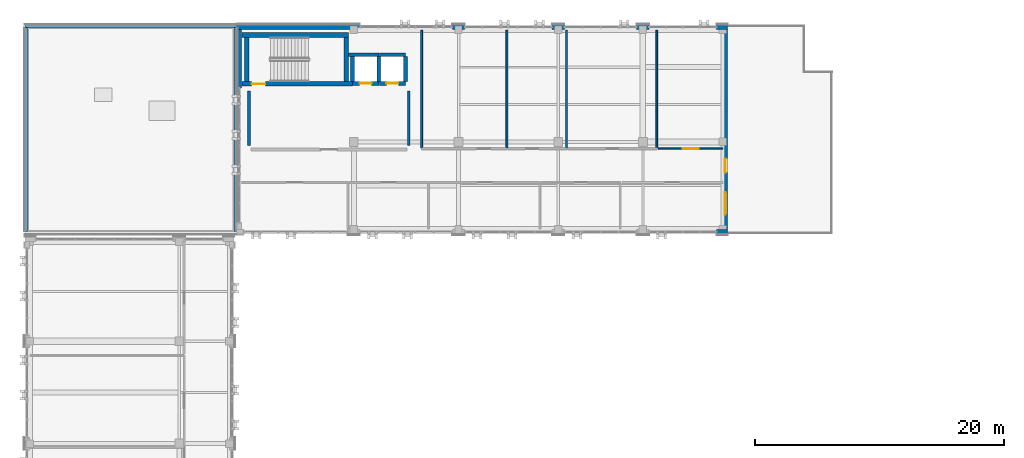
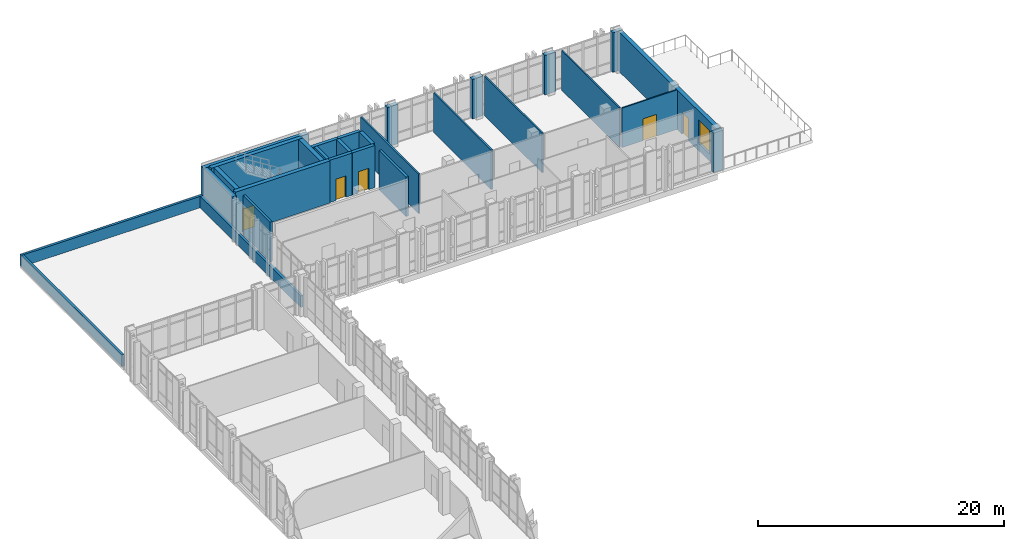
# One storey, part 71 of 90: 29 walls, 5 doors, 1 window, 6 openings.
"""IFC4 building model written with IfcOpenShell, lengths in metres."""

from ifc_helpers import new_model, si_unit, direction, frame, frame_2d, origin, place, context, subcontext, project, spatial, rectangle, extrude, material, layer, layer_set, type_object, element, fill, save


model = new_model("IFC4")

# Units and contexts
model_context = context("Model", 3, precision=1e-05, world=origin(), true_north=direction((0.0, 1.0)))
body_context = subcontext(model_context, "Body", "Model", "MODEL_VIEW")
ifc_project = project(units=[si_unit("LENGTHUNIT", "METRE"), si_unit("AREAUNIT", "SQUARE_METRE"), si_unit("VOLUMEUNIT", "CUBIC_METRE"), si_unit("PLANEANGLEUNIT", "RADIAN"), si_unit("MASSUNIT", "GRAM", prefix="KILO")], contexts=[model_context])

# Site, building, storey
site_placement = place(None, origin())
site = spatial("IfcSite", under=ifc_project, at=site_placement, CompositionType="ELEMENT")
building_placement = place(site_placement, origin())
building = spatial("IfcBuilding", under=site, at=building_placement, Name="Qalavern Law Courts", CompositionType="ELEMENT")
storey_placement = place(building_placement, frame((0.0, 0.0, 22.800048828125)))
storey = spatial("IfcBuildingStorey", under=building, at=storey_placement, Name="L05", CompositionType="ELEMENT", Elevation=22.800048828125)

# Wall
ifc_material_1 = material(Name="Concrete C40/50", Category="concrete")
ifc_layer_1 = layer(ifc_material_1, 0.385009765625)
ifc_layer_set_1 = layer_set([ifc_layer_1], Name="Concrete C40/50")
wall_type_1 = type_object("IfcWallType", Name="ENV-EW-385", PredefinedType="SOLIDWALL", material=ifc_layer_set_1)
wall_1_placement = place(storey_placement, frame((57.5, 96.392578125, 0.0), z_axis=(0.0, 0.0, 1.0), x_axis=(1.0, 0.0, 0.0)))
element("IfcWall", 1, at=wall_1_placement, inside=storey, type_object=wall_type_1, Name="V5 exterior pier wall L05 south 6", PredefinedType="SOLIDWALL", context=body_context, shape_type="SweptSolid", body=[
    extrude(rectangle(XDim=0.89990234375, YDim=0.385009765625, at=frame_2d((0.449951171875, 0.0))), origin(), (0.0, 0.0, 1.0), 3.929931640625),
])

# Wall, openings, door, window
wall_2_placement = place(storey_placement, frame((58.20751953125, 96.580078125, 0.0), z_axis=(0.0, 0.0, 1.0), x_axis=(0.0, 1.0, 0.0)))
wall_2 = element("IfcWall", 2, at=wall_2_placement, inside=storey, type_object=wall_type_1, Name="V5 exterior wall L05 east 1", PredefinedType="SOLIDWALL", context=body_context, shape_type="SweptSolid", body=[
    extrude(rectangle(XDim=16.0400390625, YDim=0.385009765625, at=frame_2d((8.02001953125, 0.0))), origin(), (0.0, 0.0, 1.0), 3.929931640625),
])
opening_1_placement = place(wall_2_placement, frame((4.56005859375, 0.0, 0.0)))
opening_1 = element("IfcOpeningElement", 3, at=opening_1_placement, cuts=wall_2, Name="Opening TD-V5-L05", PredefinedType="OPENING", context=body_context, shape_type="SweptSolid", body=[
    extrude(rectangle(XDim=1.1201171875, YDim=2.14990234375, at=frame_2d((0.56005859375, 1.074951171875))), frame((0.0, 0.20751953125, 0.0), z_axis=(0.0, -1.0, 0.0), x_axis=(1.0, 0.0, 0.0)), (0.0, 0.0, 1.0), 0.414794921875),
])
opening_2_placement = place(wall_2_placement, frame((1.199951171875, 0.0, 0.719970703125)))
opening_2 = element("IfcOpeningElement", 4, at=opening_2_placement, cuts=wall_2, Name="Opening WN-35", PredefinedType="OPENING", context=body_context, shape_type="SweptSolid", body=[
    extrude(rectangle(XDim=1.800048828125, YDim=2.35009765625, at=frame_2d((0.89990234375, 1.175048828125))), frame((0.0, 0.20751953125, 0.0), z_axis=(0.0, -1.0, 0.0), x_axis=(1.0, 0.0, 0.0)), (0.0, 0.0, 1.0), 0.414794921875),
])
ifc_material_2 = material(Name="Thermally broken anodised aluminium and laminated safety glass", Category="aluminium")
door_type_1 = type_object("IfcDoorType", Name="ENV-TD-1120x2150", OperationType="NOTDEFINED", PredefinedType="DOOR", material=ifc_material_2)
door_1_placement = place(opening_1_placement, frame((1.1201171875, 0.0, 0.0), z_axis=(0.0, 0.0, 1.0), x_axis=(-1.0, 0.0, 0.0)))
door_1 = element("IfcDoor", 5, at=door_1_placement, inside=storey, type_object=door_type_1, Name="Outdoor terrace access door TD-V5-L05", OperationType="SINGLE_SWING_LEFT", OverallHeight=2.14990234375, OverallWidth=1.1201171875, PredefinedType="DOOR", context=body_context, shape_type="SweptSolid", body=[
    extrude(rectangle(XDim=1.1201171875, YDim=2.14990234375, at=frame_2d((0.56005859375, 1.074951171875))), frame((0.0, 0.02490234375, 0.0), z_axis=(0.0, -1.0, 0.0), x_axis=(1.0, 0.0, 0.0)), (0.0, 0.0, 1.0), 0.050048828125),
])
fill(opening_1, door_1)
ifc_material_3 = material(Name="Anodised aluminium frame with low-E double glazing", Category="aluminium")
window_type = type_object("IfcWindowType", Name="ENV-WIN-1800x2350", PartitioningType="SINGLE_PANEL", PredefinedType="WINDOW", material=ifc_material_3)
window_placement = place(opening_2_placement, origin())
window = element("IfcWindow", 6, at=window_placement, inside=storey, type_object=window_type, Name="V5 window L05 east 1", OverallHeight=2.35009765625, OverallWidth=1.800048828125, PartitioningType="SINGLE_PANEL", PredefinedType="WINDOW", context=body_context, shape_type="SweptSolid", body=[
    extrude(rectangle(XDim=1.800048828125, YDim=2.35009765625, at=frame_2d((0.89990234375, 1.175048828125))), frame((0.0, 0.030029296875, 0.0), z_axis=(0.0, -1.0, 0.0), x_axis=(1.0, 0.0, 0.0)), (0.0, 0.0, 1.0), 0.06005859375),
])
fill(opening_2, window)

# Walls
wall_3_placement = place(storey_placement, frame((58.39990234375, 112.8076171875, 0.0), z_axis=(0.0, 0.0, 1.0), x_axis=(-1.0, 0.0, 0.0)))
element("IfcWall", 7, at=wall_3_placement, inside=storey, type_object=wall_type_1, Name="V5 exterior pier wall L05 north 1", PredefinedType="SOLIDWALL", context=body_context, shape_type="SweptSolid", body=[
    extrude(rectangle(XDim=0.89990234375, YDim=0.385009765625, at=frame_2d((0.449951171875, 0.0))), origin(), (0.0, 0.0, 1.0), 3.929931640625),
])
for number, where, z_axis, x_axis, name in (
    (8, (52.10009765625, 112.8076171875, 0.0), (0.0, 0.0, 1.0), (-1.0, 0.0, 0.0), "V5 exterior pier wall L05 north 2"),
    (9, (45.300048828125, 112.8076171875, 0.0), (0.0, 0.0, 1.0), (-1.0, 0.0, 0.0), "V5 exterior pier wall L05 north 3"),
    (10, (37.300048828125, 112.8076171875, 0.0), (0.0, 0.0, 1.0), (-1.0, 0.0, 0.0), "V5 exterior pier wall L05 north 4"),
):
    element("IfcWall", number, at=place(storey_placement, frame(where, z_axis=z_axis, x_axis=x_axis)), inside=storey, type_object=wall_type_1, Name=name, PredefinedType="SOLIDWALL", context=body_context, shape_type="SweptSolid", body=[
        extrude(rectangle(XDim=1.0, YDim=0.385009765625, at=frame_2d((0.5, 0.0))), origin(), (0.0, 0.0, 1.0), 3.929931640625),
    ])
wall_4_placement = place(storey_placement, frame((28.89990234375, 112.8076171875, 0.0), z_axis=(0.0, 0.0, 1.0), x_axis=(-1.0, 0.0, 0.0)))
element("IfcWall", 11, at=wall_4_placement, inside=storey, type_object=wall_type_1, Name="V5 exterior pier wall L05 north 5", PredefinedType="SOLIDWALL", context=body_context, shape_type="SweptSolid", body=[
    extrude(rectangle(XDim=9.8798828125, YDim=0.385009765625, at=frame_2d((4.93994140625, 0.0))), origin(), (0.0, 0.0, 1.0), 3.929931640625),
])
wall_5_placement = place(storey_placement, frame((19.21240234375, 112.6201171875, 0.0), z_axis=(0.0, 0.0, 1.0), x_axis=(0.0, -1.0, 0.0)))
element("IfcWall", 12, at=wall_5_placement, inside=storey, type_object=wall_type_1, Name="V5 exterior pier wall L05 west 1", PredefinedType="SOLIDWALL", context=body_context, shape_type="SweptSolid", body=[
    extrude(rectangle(XDim=4.670166015625, YDim=0.385009765625, at=frame_2d((2.3349609375, 0.0))), origin(), (0.0, 0.0, 1.0), 3.929931640625),
])
ifc_layer_2 = layer(ifc_material_1, 0.219970703125)
ifc_layer_set_2 = layer_set([ifc_layer_2], Name="Concrete C40/50")
wall_type_2 = type_object("IfcWallType", Name="ENV-PAR-220", PredefinedType="PARAPET", material=ifc_layer_set_2)
wall_6_placement = place(storey_placement, frame((18.909912109375, 96.419921875, 0.0), z_axis=(0.0, 0.0, 1.0), x_axis=(0.0, 1.0, 0.0)))
element("IfcWall", 13, at=wall_6_placement, inside=storey, type_object=wall_type_2, Name="V5 roof parapet L05 E", PredefinedType="PARAPET", context=body_context, shape_type="SweptSolid", body=[
    extrude(rectangle(XDim=16.360107421875, YDim=0.219970703125, at=frame_2d((8.18017578125, 0.0))), origin(), (0.0, 0.0, 1.0), 1.14990234375),
])
wall_7_placement = place(storey_placement, frame((19.02001953125, 112.889892578125, 0.0), z_axis=(0.0, 0.0, 1.0), x_axis=(-1.0, 0.0, 0.0)))
element("IfcWall", 14, at=wall_7_placement, inside=storey, type_object=wall_type_2, Name="V5 roof parapet L05 N", PredefinedType="PARAPET", context=body_context, shape_type="SweptSolid", body=[
    extrude(rectangle(XDim=17.02001953125, YDim=0.219970703125, at=frame_2d((8.510009765625, 0.0))), origin(), (0.0, 0.0, 1.0), 1.14990234375),
])
wall_8_placement = place(storey_placement, frame((2.110107421875, 112.780029296875, 0.0), z_axis=(0.0, 0.0, 1.0), x_axis=(0.0, -1.0, 0.0)))
element("IfcWall", 15, at=wall_8_placement, inside=storey, type_object=wall_type_2, Name="V5 roof parapet L05 W", PredefinedType="PARAPET", context=body_context, shape_type="SweptSolid", body=[
    extrude(rectangle(XDim=16.360107421875, YDim=0.219970703125, at=frame_2d((8.18017578125, 0.0))), origin(), (0.0, 0.0, 1.0), 1.14990234375),
])

# Wall, opening, door
ifc_material_4 = material(Name="Concrete C45/55", Category="concrete")
ifc_layer_3 = layer(ifc_material_4, 0.375)
ifc_layer_set_3 = layer_set([ifc_layer_3], Name="Concrete C45/55")
wall_type_3 = type_object("IfcWallType", Name="INT-CW-375", PredefinedType="SHEAR", material=ifc_layer_set_3)
wall_9_placement = place(storey_placement, frame((19.407958984375, 108.262451171875, 0.0), z_axis=(0.0, 0.0, 1.0), x_axis=(1.0, 0.0, 0.0)))
wall_9 = element("IfcWall", 16, at=wall_9_placement, inside=storey, type_object=wall_type_3, Name="Core K3 stair shear wall L05 south", PredefinedType="SHEAR", context=body_context, shape_type="SweptSolid", body=[
    extrude(rectangle(XDim=8.886474609375, YDim=0.375, at=frame_2d((4.443359375, 0.0))), origin(), (0.0, 0.0, 1.0), 4.199951171875),
])
opening_3_placement = place(wall_9_placement, frame((0.7919921875, 0.0, 0.0)))
opening_3 = element("IfcOpeningElement", 17, at=opening_3_placement, cuts=wall_9, Name="Opening L05-D083", PredefinedType="OPENING", context=body_context, shape_type="SweptSolid", body=[
    extrude(rectangle(XDim=1.10009765625, YDim=2.14990234375, at=frame_2d((0.550048828125, 1.074951171875))), frame((0.0, 0.202392578125, 0.0), z_axis=(0.0, -1.0, 0.0), x_axis=(1.0, 0.0, 0.0)), (0.0, 0.0, 1.0), 0.40478515625),
])
ifc_material_5 = material(Name="Steel fire-rated stair enclosure door", Category="steel")
door_type_2 = type_object("IfcDoorType", Name="INT-FD-1100x2150", OperationType="NOTDEFINED", PredefinedType="DOOR", material=ifc_material_5)
door_2_placement = place(opening_3_placement, frame((1.10009765625, 0.0, 0.0), z_axis=(0.0, 0.0, 1.0), x_axis=(-1.0, 0.0, 0.0)))
door_2 = element("IfcDoor", 18, at=door_2_placement, inside=storey, type_object=door_type_2, Name="Stair K3 fire door L05", OperationType="SINGLE_SWING_RIGHT", OverallHeight=2.14990234375, OverallWidth=1.10009765625, PredefinedType="DOOR", context=body_context, shape_type="SweptSolid", body=[
    extrude(rectangle(XDim=1.10009765625, YDim=2.14990234375, at=frame_2d((0.550048828125, 1.074951171875))), frame((0.0, 0.02490234375, 0.0), z_axis=(0.0, -1.0, 0.0), x_axis=(1.0, 0.0, 0.0)), (0.0, 0.0, 1.0), 0.050048828125),
])
fill(opening_3, door_2)

# Walls
wall_10_placement = place(storey_placement, frame((27.78759765625, 108.449951171875, 0.0), z_axis=(0.0, 0.0, 1.0), x_axis=(0.0, 1.0, 0.0)))
element("IfcWall", 19, at=wall_10_placement, inside=storey, type_object=wall_type_3, Name="Core K3 stair shear wall L05 east", PredefinedType="SHEAR", context=body_context, shape_type="SweptSolid", body=[
    extrude(rectangle(XDim=3.550048828125, YDim=0.375, at=frame_2d((1.77490234375, 0.0))), origin(), (0.0, 0.0, 1.0), 4.199951171875),
])
wall_11_placement = place(storey_placement, frame((27.97509765625, 112.1875, 0.0), z_axis=(0.0, 0.0, 1.0), x_axis=(-1.0, 0.0, 0.0)))
element("IfcWall", 20, at=wall_11_placement, inside=storey, type_object=wall_type_3, Name="Core K3 stair shear wall L05 north", PredefinedType="SHEAR", context=body_context, shape_type="SweptSolid", body=[
    extrude(rectangle(XDim=8.567138671875, YDim=0.375, at=frame_2d((4.28369140625, 0.0))), origin(), (0.0, 0.0, 1.0), 4.199951171875),
])
wall_12_placement = place(storey_placement, frame((19.8125, 112.0, 0.0), z_axis=(0.0, 0.0, 1.0), x_axis=(0.0, -1.0, 0.0)))
element("IfcWall", 21, at=wall_12_placement, inside=storey, type_object=wall_type_3, Name="Core K3 stair shear wall L05 west", PredefinedType="SHEAR", context=body_context, shape_type="SweptSolid", body=[
    extrude(rectangle(XDim=3.550048828125, YDim=0.375, at=frame_2d((1.77490234375, 0.0))), origin(), (0.0, 0.0, 1.0), 4.199951171875),
])
ifc_layer_4 = layer(ifc_material_1, 0.22509765625)
ifc_layer_set_4 = layer_set([ifc_layer_4], Name="Concrete C40/50")
wall_type_4 = type_object("IfcWallType", Name="INT-FW-225", PredefinedType="PARTITIONING", material=ifc_layer_set_4)
for number, where, z_axis, x_axis, name in (
    (22, (20.0, 103.300048828125, 0.0), (0.0, 0.0, 1.0), (0.0, 1.0, 0.0), "Core K3 lobby return wall L05 west"),
    (23, (32.800048828125, 103.300048828125, 0.0), (0.0, 0.0, 1.0), (0.0, 1.0, 0.0), "Core K3 lobby return wall L05 east"),
):
    element("IfcWall", number, at=place(storey_placement, frame(where, z_axis=z_axis, x_axis=x_axis)), inside=storey, type_object=wall_type_4, Name=name, PredefinedType="PARTITIONING", context=body_context, shape_type="SweptSolid", body=[
        extrude(rectangle(XDim=4.39990234375, YDim=0.22509765625, at=frame_2d((2.199951171875, 0.0))), origin(), (0.0, 0.0, 1.0), 3.929931640625),
    ])

# Wall, opening, door
ifc_material_6 = material(Name="Gypsum stud partition")
ifc_layer_5 = layer(ifc_material_6, 0.1220703125)
ifc_layer_set_5 = layer_set([ifc_layer_5], Name="Gypsum stud partition")
wall_type_5 = type_object("IfcWallType", Name="INT-PW-122", PredefinedType="PARTITIONING", material=ifc_layer_set_5)
wall_13_placement = place(storey_placement, frame((52.830078125, 103.06005859375, 0.0), z_axis=(0.0, 0.0, 1.0), x_axis=(1.0, 0.0, 0.0)))
wall_13 = element("IfcWall", 24, at=wall_13_placement, inside=storey, type_object=wall_type_5, Name="Senior Judges' Chambers corridor partition L05", PredefinedType="PARTITIONING", context=body_context, shape_type="SweptSolid", body=[
    extrude(rectangle(XDim=5.18994140625, YDim=0.1220703125, at=frame_2d((2.594970703125, 0.0))), origin(), (0.0, 0.0, 1.0), 3.929931640625),
])
opening_4_placement = place(wall_13_placement, frame((1.955078125, 0.0, 0.0)))
opening_4 = element("IfcOpeningElement", 25, at=opening_4_placement, cuts=wall_13, Name="Opening L05-D397", PredefinedType="OPENING", context=body_context, shape_type="SweptSolid", body=[
    extrude(rectangle(XDim=1.280029296875, YDim=2.179931640625, at=frame_2d((0.64013671875, 1.08984375))), frame((0.0, 0.075927734375, 0.0), z_axis=(0.0, -1.0, 0.0), x_axis=(1.0, 0.0, 0.0)), (0.0, 0.0, 1.0), 0.15185546875),
])
ifc_material_7 = material(Name="Wide oak Judicial Conference door")
door_type_3 = type_object("IfcDoorType", Name="INT-ID-1280x2180", OperationType="NOTDEFINED", PredefinedType="DOOR", material=ifc_material_7)
door_3_placement = place(opening_4_placement, origin())
door_3 = element("IfcDoor", 26, at=door_3_placement, inside=storey, type_object=door_type_3, Name="Senior Judges' Chambers door L05", OperationType="SINGLE_SWING_RIGHT", OverallHeight=2.179931640625, OverallWidth=1.280029296875, PredefinedType="DOOR", context=body_context, shape_type="SweptSolid", body=[
    extrude(rectangle(XDim=1.280029296875, YDim=2.179931640625, at=frame_2d((0.64013671875, 1.08984375))), frame((0.0, 0.02490234375, 0.0), z_axis=(0.0, -1.0, 0.0), x_axis=(1.0, 0.0, 0.0)), (0.0, 0.0, 1.0), 0.050048828125),
])
fill(opening_4, door_3)

# Walls
ifc_layer_6 = layer(ifc_material_6, 0.132080078125)
ifc_layer_set_6 = layer_set([ifc_layer_6], Name="Gypsum stud partition")
wall_type_6 = type_object("IfcWallType", Name="INT-PW-132", PredefinedType="PARTITIONING", material=ifc_layer_set_6)
wall_14_placement = place(storey_placement, frame((52.7099609375, 103.14599609375, 0.0), z_axis=(0.0, 0.0, 1.0), x_axis=(0.0, 1.0, 0.0)))
element("IfcWall", 27, at=wall_14_placement, inside=storey, type_object=wall_type_6, Name="Accessible WC cross partition L05 east", PredefinedType="PARTITIONING", context=body_context, shape_type="SweptSolid", body=[
    extrude(rectangle(XDim=9.4140625, YDim=0.132080078125, at=frame_2d((4.70703125, 0.0))), origin(), (0.0, 0.0, 1.0), 3.929931640625),
])
ifc_layer_7 = layer(ifc_material_6, 0.14208984375)
ifc_layer_set_7 = layer_set([ifc_layer_7], Name="Gypsum stud partition")
wall_type_7 = type_object("IfcWallType", Name="INT-PW-142", PredefinedType="PARTITIONING", material=ifc_layer_set_7)
wall_15_placement = place(storey_placement, frame((45.45703125, 103.15087890625, 0.0), z_axis=(0.0, 0.0, 1.0), x_axis=(0.0, 1.0, 0.0)))
element("IfcWall", 28, at=wall_15_placement, inside=storey, type_object=wall_type_7, Name="Judicial Clerks' Office cross partition L05 east", PredefinedType="PARTITIONING", context=body_context, shape_type="SweptSolid", body=[
    extrude(rectangle(XDim=9.4091796875, YDim=0.14208984375, at=frame_2d((4.70458984375, 0.0))), origin(), (0.0, 0.0, 1.0), 3.929931640625),
])
ifc_layer_8 = layer(ifc_material_6, 0.152099609375)
ifc_layer_set_8 = layer_set([ifc_layer_8], Name="Gypsum stud partition")
wall_type_8 = type_object("IfcWallType", Name="INT-PW-152", PredefinedType="PARTITIONING", material=ifc_layer_set_8)
for number, where, z_axis, x_axis, name in (
    (29, (33.840087890625, 103.156005859375, 0.0), (0.0, 0.0, 1.0), (0.0, 1.0, 0.0), "Judicial Conference Room cross partition L05 west"),
    (30, (40.679931640625, 103.156005859375, 0.0), (0.0, 0.0, 1.0), (0.0, 1.0, 0.0), "Judicial Conference Room cross partition L05 east"),
):
    element("IfcWall", number, at=place(storey_placement, frame(where, z_axis=z_axis, x_axis=x_axis)), inside=storey, type_object=wall_type_8, Name=name, PredefinedType="PARTITIONING", context=body_context, shape_type="SweptSolid", body=[
        extrude(rectangle(XDim=9.404052734375, YDim=0.152099609375, at=frame_2d((4.7021484375, 0.0))), origin(), (0.0, 0.0, 1.0), 3.929931640625),
    ])

# Wall, opening, door
ifc_layer_9 = layer(ifc_material_4, 0.304931640625)
ifc_layer_set_9 = layer_set([ifc_layer_9], Name="Concrete C45/55")
wall_type_9 = type_object("IfcWallType", Name="INT-SW-305", PredefinedType="SHEAR", material=ifc_layer_set_9)
wall_16_placement = place(storey_placement, frame((28.297607421875, 108.297607421875, 0.0), z_axis=(0.0, 0.0, 1.0), x_axis=(1.0, 0.0, 0.0)))
wall_16 = element("IfcWall", 31, at=wall_16_placement, inside=storey, type_object=wall_type_9, Name="Lift LF-J1 shaft wall L05 south", PredefinedType="SHEAR", context=body_context, shape_type="SweptSolid", body=[
    extrude(rectangle(XDim=2.10498046875, YDim=0.304931640625, at=frame_2d((1.052490234375, 0.0))), origin(), (0.0, 0.0, 1.0), 4.199951171875),
])
opening_5_placement = place(wall_16_placement, frame((0.572509765625, 0.0, 0.0)))
opening_5 = element("IfcOpeningElement", 32, at=opening_5_placement, cuts=wall_16, Name="Opening LD-LF-J1-L05", PredefinedType="OPENING", context=body_context, shape_type="SweptSolid", body=[
    extrude(rectangle(XDim=0.9599609375, YDim=2.1201171875, at=frame_2d((0.47998046875, 1.06005859375))), frame((0.0, 0.16748046875, 0.0), z_axis=(0.0, -1.0, 0.0), x_axis=(1.0, 0.0, 0.0)), (0.0, 0.0, 1.0), 0.334716796875),
])
ifc_material_8 = material(Name="Heavy-gauge steel judicial lift sliding landing door", Category="steel")
door_type_4 = type_object("IfcDoorType", Name="INT-LD-960x2120", OperationType="SLIDING_TO_LEFT", PredefinedType="DOOR", material=ifc_material_8)
door_4_placement = place(opening_5_placement, origin())
door_4 = element("IfcDoor", 33, at=door_4_placement, inside=storey, type_object=door_type_4, Name="Lift LF-J1 sliding landing door L05", OperationType="SLIDING_TO_LEFT", OverallHeight=2.1201171875, OverallWidth=0.9599609375, PredefinedType="DOOR", context=body_context, shape_type="SweptSolid", body=[
    extrude(rectangle(XDim=0.9599609375, YDim=2.1201171875, at=frame_2d((0.47998046875, 1.06005859375))), frame((0.0, 0.02490234375, 0.0), z_axis=(0.0, -1.0, 0.0), x_axis=(1.0, 0.0, 0.0)), (0.0, 0.0, 1.0), 0.050048828125),
])
fill(opening_5, door_4)

# Walls
wall_17_placement = place(storey_placement, frame((30.402587890625, 108.449951171875, 0.0), z_axis=(0.0, 0.0, 1.0), x_axis=(0.0, 1.0, 0.0)))
element("IfcWall", 34, at=wall_17_placement, inside=storey, type_object=wall_type_9, Name="Lift LF-J1 shaft wall L05 east", PredefinedType="SHEAR", context=body_context, shape_type="SweptSolid", body=[
    extrude(rectangle(XDim=2.0, YDim=0.304931640625, at=frame_2d((1.0, 0.0))), origin(), (0.0, 0.0, 1.0), 4.199951171875),
])
wall_18_placement = place(storey_placement, frame((30.402587890625, 110.6025390625, 0.0), z_axis=(0.0, 0.0, 1.0), x_axis=(-1.0, 0.0, 0.0)))
element("IfcWall", 35, at=wall_18_placement, inside=storey, type_object=wall_type_9, Name="Lift LF-J1 shaft wall L05 north", PredefinedType="SHEAR", context=body_context, shape_type="SweptSolid", body=[
    extrude(rectangle(XDim=2.424560546875, YDim=0.304931640625, at=frame_2d((1.21240234375, 0.0))), origin(), (0.0, 0.0, 1.0), 4.199951171875),
])
wall_19_placement = place(storey_placement, frame((28.297607421875, 110.449951171875, 0.0), z_axis=(0.0, 0.0, 1.0), x_axis=(0.0, -1.0, 0.0)))
element("IfcWall", 36, at=wall_19_placement, inside=storey, type_object=wall_type_9, Name="Lift LF-J1 shaft wall L05 west", PredefinedType="SHEAR", context=body_context, shape_type="SweptSolid", body=[
    extrude(rectangle(XDim=2.0, YDim=0.304931640625, at=frame_2d((1.0, 0.0))), origin(), (0.0, 0.0, 1.0), 4.199951171875),
])

# Wall, opening, door
wall_20_placement = place(storey_placement, frame((30.447509765625, 108.297607421875, 0.0), z_axis=(0.0, 0.0, 1.0), x_axis=(1.0, 0.0, 0.0)))
wall_20 = element("IfcWall", 37, at=wall_20_placement, inside=storey, type_object=wall_type_9, Name="Lift LF-J2 shaft wall L05 south", PredefinedType="SHEAR", context=body_context, shape_type="SweptSolid", body=[
    extrude(rectangle(XDim=2.10498046875, YDim=0.304931640625, at=frame_2d((1.052490234375, 0.0))), origin(), (0.0, 0.0, 1.0), 4.199951171875),
])
opening_6_placement = place(wall_20_placement, frame((0.572509765625, 0.0, 0.0)))
opening_6 = element("IfcOpeningElement", 38, at=opening_6_placement, cuts=wall_20, Name="Opening LD-LF-J2-L05", PredefinedType="OPENING", context=body_context, shape_type="SweptSolid", body=[
    extrude(rectangle(XDim=0.9599609375, YDim=2.1201171875, at=frame_2d((0.47998046875, 1.06005859375))), frame((0.0, 0.16748046875, 0.0), z_axis=(0.0, -1.0, 0.0), x_axis=(1.0, 0.0, 0.0)), (0.0, 0.0, 1.0), 0.334716796875),
])
door_5_placement = place(opening_6_placement, origin())
door_5 = element("IfcDoor", 39, at=door_5_placement, inside=storey, type_object=door_type_4, Name="Lift LF-J2 sliding landing door L05", OperationType="SLIDING_TO_LEFT", OverallHeight=2.1201171875, OverallWidth=0.9599609375, PredefinedType="DOOR", context=body_context, shape_type="SweptSolid", body=[
    extrude(rectangle(XDim=0.9599609375, YDim=2.1201171875, at=frame_2d((0.47998046875, 1.06005859375))), frame((0.0, 0.02490234375, 0.0), z_axis=(0.0, -1.0, 0.0), x_axis=(1.0, 0.0, 0.0)), (0.0, 0.0, 1.0), 0.050048828125),
])
fill(opening_6, door_5)

# Walls
wall_21_placement = place(storey_placement, frame((32.552490234375, 108.449951171875, 0.0), z_axis=(0.0, 0.0, 1.0), x_axis=(0.0, 1.0, 0.0)))
element("IfcWall", 40, at=wall_21_placement, inside=storey, type_object=wall_type_9, Name="Lift LF-J2 shaft wall L05 east", PredefinedType="SHEAR", context=body_context, shape_type="SweptSolid", body=[
    extrude(rectangle(XDim=2.0, YDim=0.304931640625, at=frame_2d((1.0, 0.0))), origin(), (0.0, 0.0, 1.0), 4.199951171875),
])
wall_22_placement = place(storey_placement, frame((32.552490234375, 110.6025390625, 0.0), z_axis=(0.0, 0.0, 1.0), x_axis=(-1.0, 0.0, 0.0)))
element("IfcWall", 41, at=wall_22_placement, inside=storey, type_object=wall_type_9, Name="Lift LF-J2 shaft wall L05 north", PredefinedType="SHEAR", context=body_context, shape_type="SweptSolid", body=[
    extrude(rectangle(XDim=2.10498046875, YDim=0.304931640625, at=frame_2d((1.052490234375, 0.0))), origin(), (0.0, 0.0, 1.0), 4.199951171875),
])

save(model, "model.ifc")
